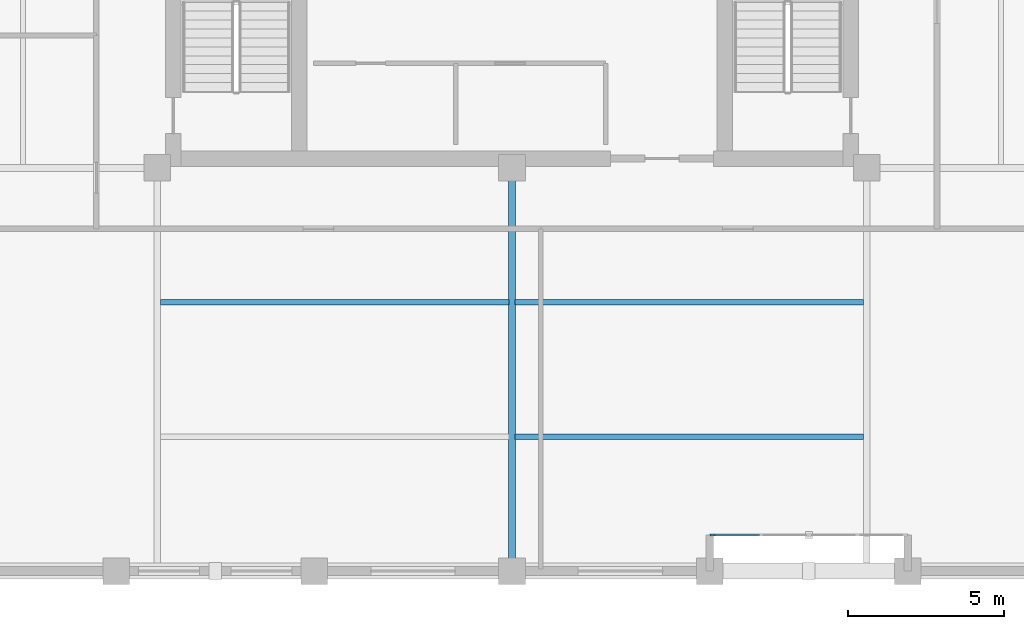
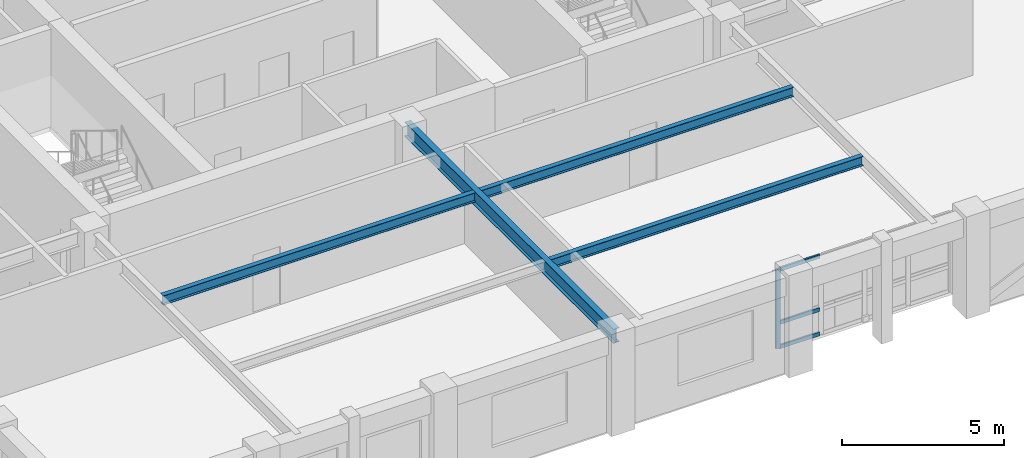
# One storey, part 2 of 10: 4 beams, 4 members, 1 element without a shape of its own.
"""IFC4 building model written with IfcOpenShell, lengths in metres."""

from ifc_helpers import new_model, si_unit, direction, frame, origin, origin_2d, place, context, subcontext, project, spatial, rectangle, i_section, extrude, material, layer, layer_set, material_profile, profile_set, type_object, element, aggregate, save


model = new_model("IFC4")

# Units and contexts
model_context = context("Model", 3, precision=1e-05, world=origin(), true_north=direction((0.0, 1.0)))
body_context = subcontext(model_context, "Body", "Model", "MODEL_VIEW")
ifc_project = project(units=[si_unit("LENGTHUNIT", "METRE"), si_unit("AREAUNIT", "SQUARE_METRE"), si_unit("VOLUMEUNIT", "CUBIC_METRE"), si_unit("PLANEANGLEUNIT", "RADIAN"), si_unit("MASSUNIT", "GRAM", prefix="KILO")], contexts=[model_context])

# Site, building, storey
site_placement = place(None, origin())
site = spatial("IfcSite", under=ifc_project, at=site_placement, CompositionType="ELEMENT")
building_placement = place(site_placement, origin())
building = spatial("IfcBuilding", under=site, at=building_placement, Name="Nhamokura Convention Tower", CompositionType="ELEMENT")
storey_placement = place(building_placement, frame((0.0, 0.0, 210.0)))
storey = spatial("IfcBuildingStorey", under=building, at=storey_placement, Name="L51", CompositionType="ELEMENT", Elevation=210.0)

# Curtain wall, members
ifc_material_1 = material(Name="Anodised bronze aluminium AA6063-T6", Category="aluminium")
ifc_layer = layer(ifc_material_1, 0.155029296875)
ifc_layer_set = layer_set([ifc_layer], Name="CWSystem_ScaleSlot_Zone3")
curtain_wall_type = type_object("IfcCurtainWallType", Name="CWSystem_ScaleSlot_Zone3", PredefinedType="NOTDEFINED", material=ifc_layer_set)
curtain_wall_placement = place(storey_placement, origin())
curtain_wall = element("IfcCurtainWall", 1, at=curtain_wall_placement, inside=storey, type_object=curtain_wall_type, Name="L51 Curtain Wall ENV-L51-SLOT-S4", PredefinedType="NOTDEFINED")
ifc_material_2 = material(Name="Anodised bronze aluminium AA6063-T6", Category="aluminium")
ifc_material_profile_1 = material_profile(ifc_material_2, rectangle(XDim=0.06494140625, YDim=0.1650390625, at=origin_2d()))
ifc_profile_set_1 = profile_set([ifc_material_profile_1], Name="Anodised bronze aluminium AA6063-T6")
member_type_1 = type_object("IfcMemberType", Name="CWMullion_3", PredefinedType="MULLION", material=ifc_profile_set_1)
member_1_placement = place(storey_placement, frame((38.42578125, 8.89990234375, 0.0), z_axis=(0.0, 0.0, 1.0), x_axis=(0.0, -1.0, 0.0)))
member_1 = element("IfcMember", 2, at=member_1_placement, type_object=member_type_1, Name="CW-05 mullion 5", PredefinedType="MULLION", context=body_context, shape_type="SweptSolid", body=[
    extrude(rectangle(XDim=0.06494140625, YDim=0.1650390625, at=origin_2d()), origin(), (0.0, 0.0, 1.0), 2.985107421875),
])
ifc_material_3 = material(Name="Anodised bronze aluminium AA6063-T6", Category="aluminium")
ifc_material_profile_2 = material_profile(ifc_material_3, rectangle(XDim=0.06494140625, YDim=0.139892578125, at=origin_2d()))
ifc_profile_set_2 = profile_set([ifc_material_profile_2], Name="Anodised bronze aluminium AA6063-T6")
member_type_2 = type_object("IfcMemberType", Name="CWTransom_3", PredefinedType="USERDEFINED", material=ifc_profile_set_2)
member_2_placement = place(storey_placement, frame((39.9140625, 8.89990234375, 0.032470703125), z_axis=(-1.0, 0.0, 0.0), x_axis=(0.0, -1.0, 0.0)))
member_2 = element("IfcMember", 3, at=member_2_placement, type_object=member_type_2, Name="CW-05 transom 4.1", ObjectType="TRANSOM", PredefinedType="USERDEFINED", context=body_context, shape_type="SweptSolid", body=[
    extrude(rectangle(XDim=0.06494140625, YDim=0.139892578125, at=origin_2d()), origin(), (0.0, 0.0, 1.0), 1.455810546875),
])
member_3_placement = place(storey_placement, frame((39.9140625, 8.89990234375, 0.949951171875), z_axis=(-1.0, 0.0, 0.0), x_axis=(0.0, -1.0, 0.0)))
member_3 = element("IfcMember", 4, at=member_3_placement, type_object=member_type_2, Name="CW-05 transom 4.2", ObjectType="TRANSOM", PredefinedType="USERDEFINED", context=body_context, shape_type="SweptSolid", body=[
    extrude(rectangle(XDim=0.06494140625, YDim=0.139892578125, at=origin_2d()), origin(), (0.0, 0.0, 1.0), 1.455810546875),
])
member_4_placement = place(storey_placement, frame((39.9140625, 8.89990234375, 2.952392578125), z_axis=(-1.0, 0.0, 0.0), x_axis=(0.0, -1.0, 0.0)))
member_4 = element("IfcMember", 5, at=member_4_placement, type_object=member_type_2, Name="CW-05 transom 4.3", ObjectType="TRANSOM", PredefinedType="USERDEFINED", context=body_context, shape_type="SweptSolid", body=[
    extrude(rectangle(XDim=0.06494140625, YDim=0.139892578125, at=origin_2d()), origin(), (0.0, 0.0, 1.0), 1.455810546875),
])
aggregate(curtain_wall, [member_1, member_2, member_3, member_4])

# Beams
ifc_material_4 = material(Name="Steel ASTM A992 Gr 50", Category="steel")
ifc_material_profile_3 = material_profile(ifc_material_4, i_section(OverallWidth=0.172119140625, OverallDepth=0.35791015625, WebThickness=0.0078125, FlangeThickness=0.01318359375, at=origin_2d()))
ifc_profile_set_3 = profile_set([ifc_material_profile_3], Name="Steel ASTM A992 Gr 50")
beam_type_1 = type_object("IfcBeamType", Name="FloorJoist_W360X57", PredefinedType="JOIST", material=ifc_profile_set_3)
for number, where, z_axis, x_axis, name in (
    (6, (32.103515625, 12.050048828125, 3.506103515625), (1.0, 0.0, 0.0), (0.0, 1.0, 0.0), "L51 Composite Floor Joist S1B"),
    (7, (20.75341796875, 16.35009765625, 3.506103515625), (1.0, 0.0, 0.0), (0.0, 1.0, 0.0), "L51 Composite Floor Joist S2A"),
    (8, (32.103515625, 16.35009765625, 3.506103515625), (1.0, 0.0, 0.0), (0.0, 1.0, 0.0), "L51 Composite Floor Joist S2B"),
):
    element("IfcBeam", number, at=place(storey_placement, frame(where, z_axis=z_axis, x_axis=x_axis)), inside=storey, type_object=beam_type_1, Name=name, PredefinedType="JOIST", context=body_context, shape_type="SweptSolid", body=[
        extrude(i_section(OverallWidth=0.172119140625, OverallDepth=0.35791015625, WebThickness=0.0078125, FlangeThickness=0.01318359375, at=origin_2d()), origin(), (0.0, 0.0, 1.0), 11.14306640625),
    ])
ifc_material_5 = material(Name="Steel ASTM A992 Gr 50", Category="steel")
ifc_material_profile_4 = material_profile(ifc_material_5, i_section(OverallWidth=0.2109375, OverallDepth=0.5390625, WebThickness=0.01171875, FlangeThickness=0.018798828125, at=origin_2d()))
ifc_profile_set_4 = profile_set([ifc_material_profile_4], Name="Steel ASTM A992 Gr 50")
beam_type_2 = type_object("IfcBeamType", Name="PrimaryGirder_W530X109", PredefinedType="BEAM", material=ifc_profile_set_4)
beam_placement = place(storey_placement, frame((32.0, 7.75, 3.41552734375), z_axis=(0.0, 1.0, 0.0), x_axis=(-1.0, 0.0, 0.0)))
element("IfcBeam", 9, at=beam_placement, inside=storey, type_object=beam_type_2, Name="L51 Primary Floor Girder PG-S2", PredefinedType="BEAM", context=body_context, shape_type="SweptSolid", body=[
    extrude(i_section(OverallWidth=0.2109375, OverallDepth=0.5390625, WebThickness=0.01171875, FlangeThickness=0.018798828125, at=origin_2d()), origin(), (0.0, 0.0, 1.0), 12.89990234375),
])

save(model, "model.ifc")
